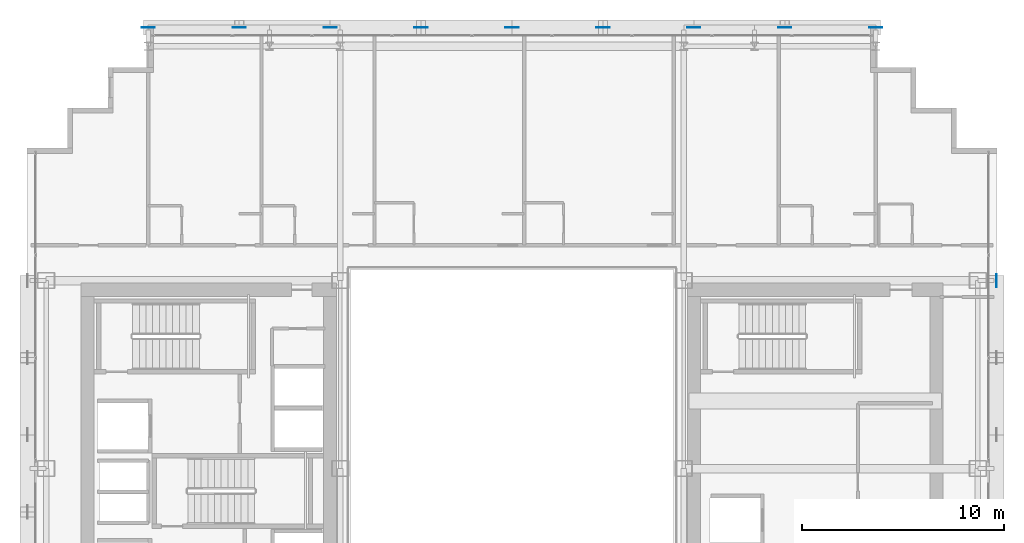
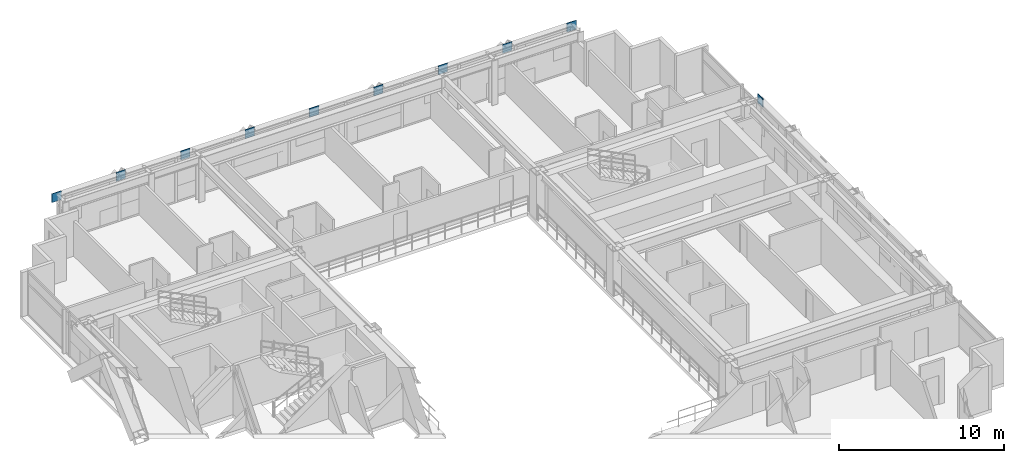
# One storey, part 27 of 36: 10 plates.
"""IFC4 building model written with IfcOpenShell, lengths in metres."""

from ifc_helpers import new_model, si_unit, direction, frame, origin, origin_2d, place, context, subcontext, project, spatial, rectangle, extrude, source, transform, mapped, material, layer, layer_set, type_object, element, save


model = new_model("IFC4")

# Units and contexts
model_context = context("Model", 3, precision=1e-05, world=origin(), true_north=direction((0.0, 1.0)))
body_context = subcontext(model_context, "Body", "Model", "MODEL_VIEW")
ifc_project = project(units=[si_unit("LENGTHUNIT", "METRE"), si_unit("AREAUNIT", "SQUARE_METRE"), si_unit("VOLUMEUNIT", "CUBIC_METRE"), si_unit("PLANEANGLEUNIT", "RADIAN"), si_unit("MASSUNIT", "GRAM", prefix="KILO")], contexts=[model_context])

# Site, building, storey
site_placement = place(None, origin())
site = spatial("IfcSite", under=ifc_project, at=site_placement, CompositionType="ELEMENT")
building_placement = place(site_placement, origin())
building = spatial("IfcBuilding", under=site, at=building_placement, Name="Ocotamira Hotel", CompositionType="ELEMENT")
storey_placement = place(building_placement, frame((0.0, 0.0, 147.60009765625)))
storey = spatial("IfcBuildingStorey", under=building, at=storey_placement, Name="L37", CompositionType="ELEMENT", Elevation=147.60009765625)

# Plates
ifc_material = material(Name="Pale-metal coated steel ASTM A572 Grade 50", Category="steel")
ifc_layer = layer(ifc_material, 0.0400390625)
ifc_layer_set = layer_set([ifc_layer], Name="Pale-metal coated steel ASTM A572 Grade 50")
plate_type = type_object("IfcPlateType", Name="PLT-GUSSET-40", PredefinedType="SHEET", material=ifc_layer_set)
shared_shape_1 = source(origin(), body_context, "Body", "SweptSolid", [
    extrude(rectangle(XDim=0.64990234375, YDim=0.0400390625, at=origin_2d()), origin(), (0.0, 0.0, 1.0), 0.64990234375),
])
for number, where, z_axis, x_axis, name in (
    (1, (18.5, 49.969970703125, 2.704833984375), (0.0, 0.0, 1.0), (1.0, 0.0, 0.0), "L37 Exoskeleton Diagrid N0.1 End Gusset B"),
    (2, (27.5, 49.969970703125, 2.704833984375), (0.0, 0.0, 1.0), (1.0, 0.0, 0.0), "L37 Exoskeleton Diagrid N1.1 End Gusset B"),
    (3, (36.5, 49.969970703125, 2.704833984375), (0.0, 0.0, 1.0), (1.0, 0.0, 0.0), "L37 Exoskeleton Diagrid N2.1 End Gusset B"),
    (4, (45.5, 49.969970703125, 2.704833984375), (0.0, 0.0, 1.0), (1.0, 0.0, 0.0), "L37 Exoskeleton Diagrid N3.1 End Gusset B"),
    (5, (14.0, 49.969970703125, 2.704833984375), (0.0, 0.0, 1.0), (1.0, 0.0, 0.0), "L37 Exoskeleton Diagrid N0.1 End Gusset A"),
    (6, (23.0, 49.969970703125, 2.704833984375), (0.0, 0.0, 1.0), (-1.0, 0.0, 0.0), "L37 Exoskeleton Diagrid N0.2 End Gusset A"),
    (7, (32.0, 49.969970703125, 2.704833984375), (0.0, 0.0, 1.0), (-1.0, 0.0, 0.0), "L37 Exoskeleton Diagrid N1.2 End Gusset A"),
    (8, (41.0, 49.969970703125, 2.704833984375), (0.0, 0.0, 1.0), (-1.0, 0.0, 0.0), "L37 Exoskeleton Diagrid N2.2 End Gusset A"),
    (9, (50.0, 49.969970703125, 2.704833984375), (0.0, 0.0, 1.0), (-1.0, 0.0, 0.0), "L37 Exoskeleton Diagrid N3.2 End Gusset A"),
):
    element("IfcPlate", number, at=place(storey_placement, frame(where, z_axis=z_axis, x_axis=x_axis)), inside=storey, type_object=plate_type, Name=name, PredefinedType="SHEET", context=body_context, shape_type="MappedRepresentation", body=[
        mapped(shared_shape_1, transform((0.0, 0.0, 0.0), scale=1.0)),
    ])
shared_shape_2 = source(origin(), body_context, "Body", "SweptSolid", [
    extrude(rectangle(XDim=0.0400390625, YDim=0.64990234375, at=origin_2d()), origin(), (0.0, 0.0, 1.0), 0.64990234375),
])
plate_placement = place(storey_placement, frame((55.969970703125, 37.449951171875, 2.704833984375), z_axis=(0.0, 0.0, 1.0), x_axis=(1.0, 0.0, 0.0)))
element("IfcPlate", 10, at=plate_placement, inside=storey, type_object=plate_type, Name="L37 Exoskeleton Diagrid E2.2 End Gusset A", PredefinedType="SHEET", context=body_context, shape_type="MappedRepresentation", body=[
    mapped(shared_shape_2, transform((0.0, 0.0, 0.0), scale=1.0)),
])

save(model, "model.ifc")
